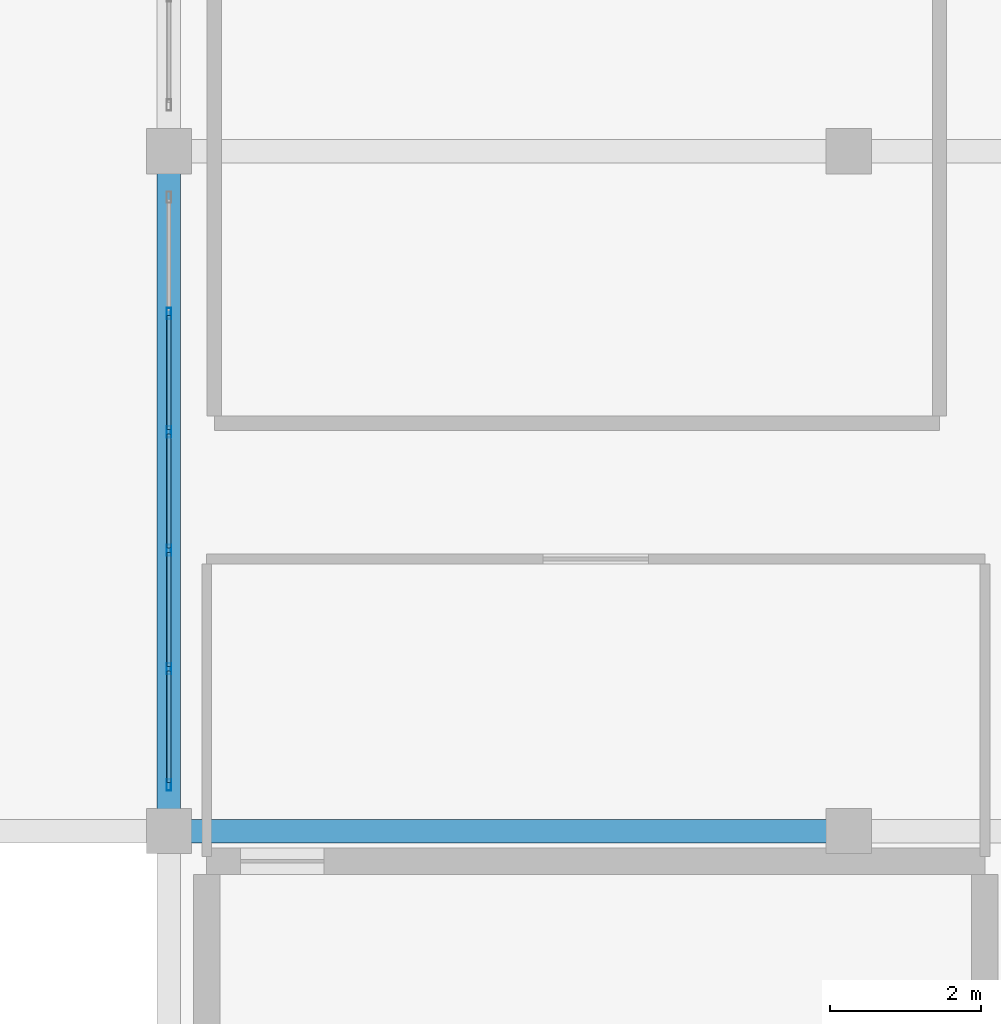
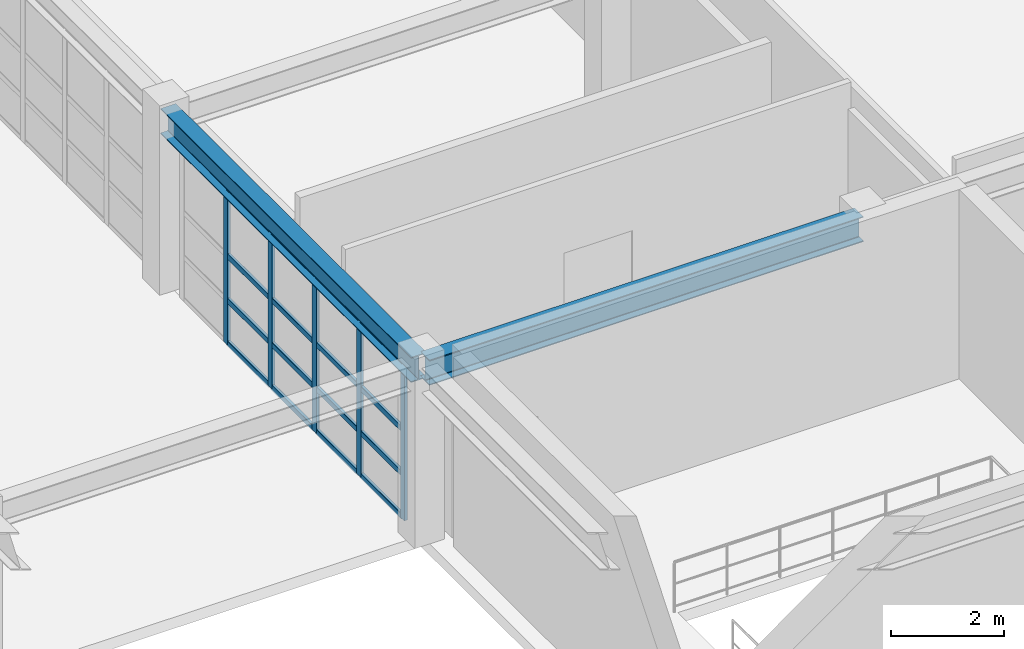
# One storey, part 17 of 110: 21 members, 2 beams, 1 element without a shape of its own.
"""IFC4 building model written with IfcOpenShell, lengths in metres."""

from ifc_helpers import new_model, si_unit, direction, frame, origin, origin_2d, place, context, subcontext, project, spatial, hollow_rectangle, i_section, extrude, material, material_profile, profile_set, type_object, element, aggregate, save


model = new_model("IFC4")

# Units and contexts
model_context = context("Model", 3, precision=1e-05, world=origin(), true_north=direction((0.0, 1.0)))
body_context = subcontext(model_context, "Body", "Model", "MODEL_VIEW")
ifc_project = project(units=[si_unit("LENGTHUNIT", "METRE"), si_unit("AREAUNIT", "SQUARE_METRE"), si_unit("VOLUMEUNIT", "CUBIC_METRE"), si_unit("PLANEANGLEUNIT", "RADIAN"), si_unit("MASSUNIT", "GRAM", prefix="KILO")], contexts=[model_context])

# Site, building, storey
site_placement = place(None, origin())
site = spatial("IfcSite", under=ifc_project, at=site_placement, CompositionType="ELEMENT")
building_placement = place(site_placement, origin())
building = spatial("IfcBuilding", under=site, at=building_placement, Name="Miravela Opera House", CompositionType="ELEMENT")
storey_placement = place(building_placement, frame((0.0, 0.0, 13.60009765625)))
storey = spatial("IfcBuildingStorey", under=building, at=storey_placement, Name="L03", CompositionType="ELEMENT", Elevation=13.60009765625)

# Curtain wall, members
ifc_material_1 = material(Name="Anodised architectural bronze aluminium 6063-T6", Category="aluminium")
curtain_wall_type = type_object("IfcCurtainWallType", Name="ARC-CW-06", PredefinedType="NOTDEFINED", material=ifc_material_1)
curtain_wall_placement = place(storey_placement, origin())
curtain_wall = element("IfcCurtainWall", 1, at=curtain_wall_placement, inside=storey, type_object=curtain_wall_type, Name="Courtyard Arcade Curtain Wall CW-L03-154", PredefinedType="NOTDEFINED")
ifc_material_profile_1 = material_profile(ifc_material_1, hollow_rectangle(XDim=0.06005859375, YDim=0.14990234375, WallThickness=0.00390625, InnerFilletRadius=0.001953125, OuterFilletRadius=0.00390625, at=origin_2d()), Name="CWM-60X150")
ifc_profile_set_1 = profile_set([ifc_material_profile_1])
member_type_1 = type_object("IfcMemberType", Name="ARC-CWM-150", PredefinedType="MULLION", material=ifc_profile_set_1)
member_1_placement = place(storey_placement, frame((63.0, 9.610107421875, 0.0), z_axis=(0.0, 0.0, 1.0), x_axis=(-1.0, 0.0, 0.0)))
member_1 = element("IfcMember", 2, at=member_1_placement, type_object=member_type_1, Name="CW-06 mullion 1", PredefinedType="MULLION", context=body_context, shape_type="SweptSolid", body=[
    extrude(hollow_rectangle(XDim=0.06005859375, YDim=0.14990234375, WallThickness=0.00390625, InnerFilletRadius=0.001953125, OuterFilletRadius=0.00390625, at=origin_2d()), origin(), (0.0, 0.0, 1.0), 3.289794921875),
])
member_2_placement = place(storey_placement, frame((63.0, 11.14794921875, 0.0), z_axis=(0.0, 0.0, 1.0), x_axis=(-1.0, 0.0, 0.0)))
member_2 = element("IfcMember", 3, at=member_2_placement, type_object=member_type_1, Name="CW-06 mullion 2", PredefinedType="MULLION", context=body_context, shape_type="SweptSolid", body=[
    extrude(hollow_rectangle(XDim=0.06005859375, YDim=0.14990234375, WallThickness=0.00390625, InnerFilletRadius=0.001953125, OuterFilletRadius=0.00390625, at=origin_2d()), origin(), (0.0, 0.0, 1.0), 3.289794921875),
])
member_3_placement = place(storey_placement, frame((63.0, 12.716064453125, 0.0), z_axis=(0.0, 0.0, 1.0), x_axis=(-1.0, 0.0, 0.0)))
member_3 = element("IfcMember", 4, at=member_3_placement, type_object=member_type_1, Name="CW-06 mullion 3", PredefinedType="MULLION", context=body_context, shape_type="SweptSolid", body=[
    extrude(hollow_rectangle(XDim=0.06005859375, YDim=0.14990234375, WallThickness=0.00390625, InnerFilletRadius=0.001953125, OuterFilletRadius=0.00390625, at=origin_2d()), origin(), (0.0, 0.0, 1.0), 3.289794921875),
])
member_4_placement = place(storey_placement, frame((63.0, 14.283935546875, 0.0), z_axis=(0.0, 0.0, 1.0), x_axis=(-1.0, 0.0, 0.0)))
member_4 = element("IfcMember", 5, at=member_4_placement, type_object=member_type_1, Name="CW-06 mullion 4", PredefinedType="MULLION", context=body_context, shape_type="SweptSolid", body=[
    extrude(hollow_rectangle(XDim=0.06005859375, YDim=0.14990234375, WallThickness=0.00390625, InnerFilletRadius=0.001953125, OuterFilletRadius=0.00390625, at=origin_2d()), origin(), (0.0, 0.0, 1.0), 3.289794921875),
])
member_5_placement = place(storey_placement, frame((63.0, 15.85205078125, 0.0), z_axis=(0.0, 0.0, 1.0), x_axis=(-1.0, 0.0, 0.0)))
member_5 = element("IfcMember", 6, at=member_5_placement, type_object=member_type_1, Name="CW-06 mullion 5", PredefinedType="MULLION", context=body_context, shape_type="SweptSolid", body=[
    extrude(hollow_rectangle(XDim=0.06005859375, YDim=0.14990234375, WallThickness=0.00390625, InnerFilletRadius=0.001953125, OuterFilletRadius=0.00390625, at=origin_2d()), origin(), (0.0, 0.0, 1.0), 3.289794921875),
])
ifc_material_profile_2 = material_profile(ifc_material_1, hollow_rectangle(XDim=0.06005859375, YDim=0.114990234375, WallThickness=0.00390625, InnerFilletRadius=0.001953125, OuterFilletRadius=0.00390625, at=origin_2d()), Name="CWT-60X115")
ifc_profile_set_2 = profile_set([ifc_material_profile_2])
member_type_2 = type_object("IfcMemberType", Name="ARC-CWT-115", PredefinedType="USERDEFINED", material=ifc_profile_set_2)
member_6_placement = place(storey_placement, frame((63.0, 9.639892578125, 0.02978515625), z_axis=(0.0, 1.0, 0.0), x_axis=(-1.0, 0.0, 0.0)))
member_6 = element("IfcMember", 7, at=member_6_placement, type_object=member_type_2, Name="CW-06 transom 1.1", ObjectType="TRANSOM", PredefinedType="USERDEFINED", context=body_context, shape_type="SweptSolid", body=[
    extrude(hollow_rectangle(XDim=0.06005859375, YDim=0.114990234375, WallThickness=0.00390625, InnerFilletRadius=0.001953125, OuterFilletRadius=0.00390625, at=origin_2d()), origin(), (0.0, 0.0, 1.0), 1.47802734375),
])
member_7_placement = place(storey_placement, frame((63.0, 9.639892578125, 0.949951171875), z_axis=(0.0, 1.0, 0.0), x_axis=(-1.0, 0.0, 0.0)))
member_7 = element("IfcMember", 8, at=member_7_placement, type_object=member_type_2, Name="CW-06 transom 1.2", ObjectType="TRANSOM", PredefinedType="USERDEFINED", context=body_context, shape_type="SweptSolid", body=[
    extrude(hollow_rectangle(XDim=0.06005859375, YDim=0.114990234375, WallThickness=0.00390625, InnerFilletRadius=0.001953125, OuterFilletRadius=0.00390625, at=origin_2d()), origin(), (0.0, 0.0, 1.0), 1.47802734375),
])
member_8_placement = place(storey_placement, frame((63.0, 9.639892578125, 1.908203125), z_axis=(0.0, 1.0, 0.0), x_axis=(-1.0, 0.0, 0.0)))
member_8 = element("IfcMember", 9, at=member_8_placement, type_object=member_type_2, Name="CW-06 transom 1.3", ObjectType="TRANSOM", PredefinedType="USERDEFINED", context=body_context, shape_type="SweptSolid", body=[
    extrude(hollow_rectangle(XDim=0.06005859375, YDim=0.114990234375, WallThickness=0.00390625, InnerFilletRadius=0.001953125, OuterFilletRadius=0.00390625, at=origin_2d()), origin(), (0.0, 0.0, 1.0), 1.47802734375),
])
member_9_placement = place(storey_placement, frame((63.0, 9.639892578125, 3.260009765625), z_axis=(0.0, 1.0, 0.0), x_axis=(-1.0, 0.0, 0.0)))
member_9 = element("IfcMember", 10, at=member_9_placement, type_object=member_type_2, Name="CW-06 transom 1.4", ObjectType="TRANSOM", PredefinedType="USERDEFINED", context=body_context, shape_type="SweptSolid", body=[
    extrude(hollow_rectangle(XDim=0.06005859375, YDim=0.114990234375, WallThickness=0.00390625, InnerFilletRadius=0.001953125, OuterFilletRadius=0.00390625, at=origin_2d()), origin(), (0.0, 0.0, 1.0), 1.47802734375),
])
member_10_placement = place(storey_placement, frame((63.0, 11.177978515625, 0.02978515625), z_axis=(0.0, 1.0, 0.0), x_axis=(-1.0, 0.0, 0.0)))
member_10 = element("IfcMember", 11, at=member_10_placement, type_object=member_type_2, Name="CW-06 transom 2.1", ObjectType="TRANSOM", PredefinedType="USERDEFINED", context=body_context, shape_type="SweptSolid", body=[
    extrude(hollow_rectangle(XDim=0.06005859375, YDim=0.114990234375, WallThickness=0.00390625, InnerFilletRadius=0.001953125, OuterFilletRadius=0.00390625, at=origin_2d()), origin(), (0.0, 0.0, 1.0), 1.508056640625),
])
member_11_placement = place(storey_placement, frame((63.0, 11.177978515625, 0.949951171875), z_axis=(0.0, 1.0, 0.0), x_axis=(-1.0, 0.0, 0.0)))
member_11 = element("IfcMember", 12, at=member_11_placement, type_object=member_type_2, Name="CW-06 transom 2.2", ObjectType="TRANSOM", PredefinedType="USERDEFINED", context=body_context, shape_type="SweptSolid", body=[
    extrude(hollow_rectangle(XDim=0.06005859375, YDim=0.114990234375, WallThickness=0.00390625, InnerFilletRadius=0.001953125, OuterFilletRadius=0.00390625, at=origin_2d()), origin(), (0.0, 0.0, 1.0), 1.508056640625),
])
member_12_placement = place(storey_placement, frame((63.0, 11.177978515625, 1.908203125), z_axis=(0.0, 1.0, 0.0), x_axis=(-1.0, 0.0, 0.0)))
member_12 = element("IfcMember", 13, at=member_12_placement, type_object=member_type_2, Name="CW-06 transom 2.3", ObjectType="TRANSOM", PredefinedType="USERDEFINED", context=body_context, shape_type="SweptSolid", body=[
    extrude(hollow_rectangle(XDim=0.06005859375, YDim=0.114990234375, WallThickness=0.00390625, InnerFilletRadius=0.001953125, OuterFilletRadius=0.00390625, at=origin_2d()), origin(), (0.0, 0.0, 1.0), 1.508056640625),
])
member_13_placement = place(storey_placement, frame((63.0, 11.177978515625, 3.260009765625), z_axis=(0.0, 1.0, 0.0), x_axis=(-1.0, 0.0, 0.0)))
member_13 = element("IfcMember", 14, at=member_13_placement, type_object=member_type_2, Name="CW-06 transom 2.4", ObjectType="TRANSOM", PredefinedType="USERDEFINED", context=body_context, shape_type="SweptSolid", body=[
    extrude(hollow_rectangle(XDim=0.06005859375, YDim=0.114990234375, WallThickness=0.00390625, InnerFilletRadius=0.001953125, OuterFilletRadius=0.00390625, at=origin_2d()), origin(), (0.0, 0.0, 1.0), 1.508056640625),
])
member_14_placement = place(storey_placement, frame((63.0, 12.74609375, 0.02978515625), z_axis=(0.0, 1.0, 0.0), x_axis=(-1.0, 0.0, 0.0)))
member_14 = element("IfcMember", 15, at=member_14_placement, type_object=member_type_2, Name="CW-06 transom 3.1", ObjectType="TRANSOM", PredefinedType="USERDEFINED", context=body_context, shape_type="SweptSolid", body=[
    extrude(hollow_rectangle(XDim=0.06005859375, YDim=0.114990234375, WallThickness=0.00390625, InnerFilletRadius=0.001953125, OuterFilletRadius=0.00390625, at=origin_2d()), origin(), (0.0, 0.0, 1.0), 1.5078125),
])
member_15_placement = place(storey_placement, frame((63.0, 12.74609375, 0.949951171875), z_axis=(0.0, 1.0, 0.0), x_axis=(-1.0, 0.0, 0.0)))
member_15 = element("IfcMember", 16, at=member_15_placement, type_object=member_type_2, Name="CW-06 transom 3.2", ObjectType="TRANSOM", PredefinedType="USERDEFINED", context=body_context, shape_type="SweptSolid", body=[
    extrude(hollow_rectangle(XDim=0.06005859375, YDim=0.114990234375, WallThickness=0.00390625, InnerFilletRadius=0.001953125, OuterFilletRadius=0.00390625, at=origin_2d()), origin(), (0.0, 0.0, 1.0), 1.5078125),
])
member_16_placement = place(storey_placement, frame((63.0, 12.74609375, 1.908203125), z_axis=(0.0, 1.0, 0.0), x_axis=(-1.0, 0.0, 0.0)))
member_16 = element("IfcMember", 17, at=member_16_placement, type_object=member_type_2, Name="CW-06 transom 3.3", ObjectType="TRANSOM", PredefinedType="USERDEFINED", context=body_context, shape_type="SweptSolid", body=[
    extrude(hollow_rectangle(XDim=0.06005859375, YDim=0.114990234375, WallThickness=0.00390625, InnerFilletRadius=0.001953125, OuterFilletRadius=0.00390625, at=origin_2d()), origin(), (0.0, 0.0, 1.0), 1.5078125),
])
member_17_placement = place(storey_placement, frame((63.0, 12.74609375, 3.260009765625), z_axis=(0.0, 1.0, 0.0), x_axis=(-1.0, 0.0, 0.0)))
member_17 = element("IfcMember", 18, at=member_17_placement, type_object=member_type_2, Name="CW-06 transom 3.4", ObjectType="TRANSOM", PredefinedType="USERDEFINED", context=body_context, shape_type="SweptSolid", body=[
    extrude(hollow_rectangle(XDim=0.06005859375, YDim=0.114990234375, WallThickness=0.00390625, InnerFilletRadius=0.001953125, OuterFilletRadius=0.00390625, at=origin_2d()), origin(), (0.0, 0.0, 1.0), 1.5078125),
])
member_18_placement = place(storey_placement, frame((63.0, 14.31396484375, 0.02978515625), z_axis=(0.0, 1.0, 0.0), x_axis=(-1.0, 0.0, 0.0)))
member_18 = element("IfcMember", 19, at=member_18_placement, type_object=member_type_2, Name="CW-06 transom 4.1", ObjectType="TRANSOM", PredefinedType="USERDEFINED", context=body_context, shape_type="SweptSolid", body=[
    extrude(hollow_rectangle(XDim=0.06005859375, YDim=0.114990234375, WallThickness=0.00390625, InnerFilletRadius=0.001953125, OuterFilletRadius=0.00390625, at=origin_2d()), origin(), (0.0, 0.0, 1.0), 1.508056640625),
])
member_19_placement = place(storey_placement, frame((63.0, 14.31396484375, 0.949951171875), z_axis=(0.0, 1.0, 0.0), x_axis=(-1.0, 0.0, 0.0)))
member_19 = element("IfcMember", 20, at=member_19_placement, type_object=member_type_2, Name="CW-06 transom 4.2", ObjectType="TRANSOM", PredefinedType="USERDEFINED", context=body_context, shape_type="SweptSolid", body=[
    extrude(hollow_rectangle(XDim=0.06005859375, YDim=0.114990234375, WallThickness=0.00390625, InnerFilletRadius=0.001953125, OuterFilletRadius=0.00390625, at=origin_2d()), origin(), (0.0, 0.0, 1.0), 1.508056640625),
])
member_20_placement = place(storey_placement, frame((63.0, 14.31396484375, 1.908203125), z_axis=(0.0, 1.0, 0.0), x_axis=(-1.0, 0.0, 0.0)))
member_20 = element("IfcMember", 21, at=member_20_placement, type_object=member_type_2, Name="CW-06 transom 4.3", ObjectType="TRANSOM", PredefinedType="USERDEFINED", context=body_context, shape_type="SweptSolid", body=[
    extrude(hollow_rectangle(XDim=0.06005859375, YDim=0.114990234375, WallThickness=0.00390625, InnerFilletRadius=0.001953125, OuterFilletRadius=0.00390625, at=origin_2d()), origin(), (0.0, 0.0, 1.0), 1.508056640625),
])
member_21_placement = place(storey_placement, frame((63.0, 14.31396484375, 3.260009765625), z_axis=(0.0, 1.0, 0.0), x_axis=(-1.0, 0.0, 0.0)))
member_21 = element("IfcMember", 22, at=member_21_placement, type_object=member_type_2, Name="CW-06 transom 4.4", ObjectType="TRANSOM", PredefinedType="USERDEFINED", context=body_context, shape_type="SweptSolid", body=[
    extrude(hollow_rectangle(XDim=0.06005859375, YDim=0.114990234375, WallThickness=0.00390625, InnerFilletRadius=0.001953125, OuterFilletRadius=0.00390625, at=origin_2d()), origin(), (0.0, 0.0, 1.0), 1.508056640625),
])
aggregate(curtain_wall, [member_1, member_2, member_3, member_4, member_5, member_6, member_7, member_8, member_9, member_10, member_11, member_12, member_13, member_14, member_15, member_16, member_17, member_18, member_19, member_20, member_21])

# Beams
ifc_material_2 = material(Name="Structural steel ASTM A992 Gr. 50", Category="steel")
ifc_material_profile_3 = material_profile(ifc_material_2, i_section(OverallWidth=0.31201171875, OverallDepth=0.54296875, WebThickness=0.0126953125, FlangeThickness=0.020263671875, FilletRadius=0.01611328125, at=origin_2d()), Name="W530X150")
ifc_profile_set_3 = profile_set([ifc_material_profile_3])
beam_type = type_object("IfcBeamType", Name="STR-BM-W530X150", PredefinedType="BEAM", material=ifc_profile_set_3)
for number, where, z_axis, x_axis, name in (
    (23, (63.080078125, 9.0, 3.568359375), (1.0, 0.0, 0.0), (0.0, 1.0, 0.0), "Roof Eave Girder ROOF-V4-WEST-S N6"),
    (24, (63.0, 9.080078125, 3.568359375), (0.0, 1.0, 0.0), (-1.0, 0.0, 0.0), "Roof Eave Girder ROOF-V4-MID W1"),
):
    element("IfcBeam", number, at=place(storey_placement, frame(where, z_axis=z_axis, x_axis=x_axis)), inside=storey, type_object=beam_type, Name=name, PredefinedType="BEAM", context=body_context, shape_type="SweptSolid", body=[
        extrude(i_section(OverallWidth=0.31201171875, OverallDepth=0.54296875, WebThickness=0.0126953125, FlangeThickness=0.020263671875, FilletRadius=0.01611328125, at=origin_2d()), origin(), (0.0, 0.0, 1.0), 8.83984375),
    ])

save(model, "model.ifc")
